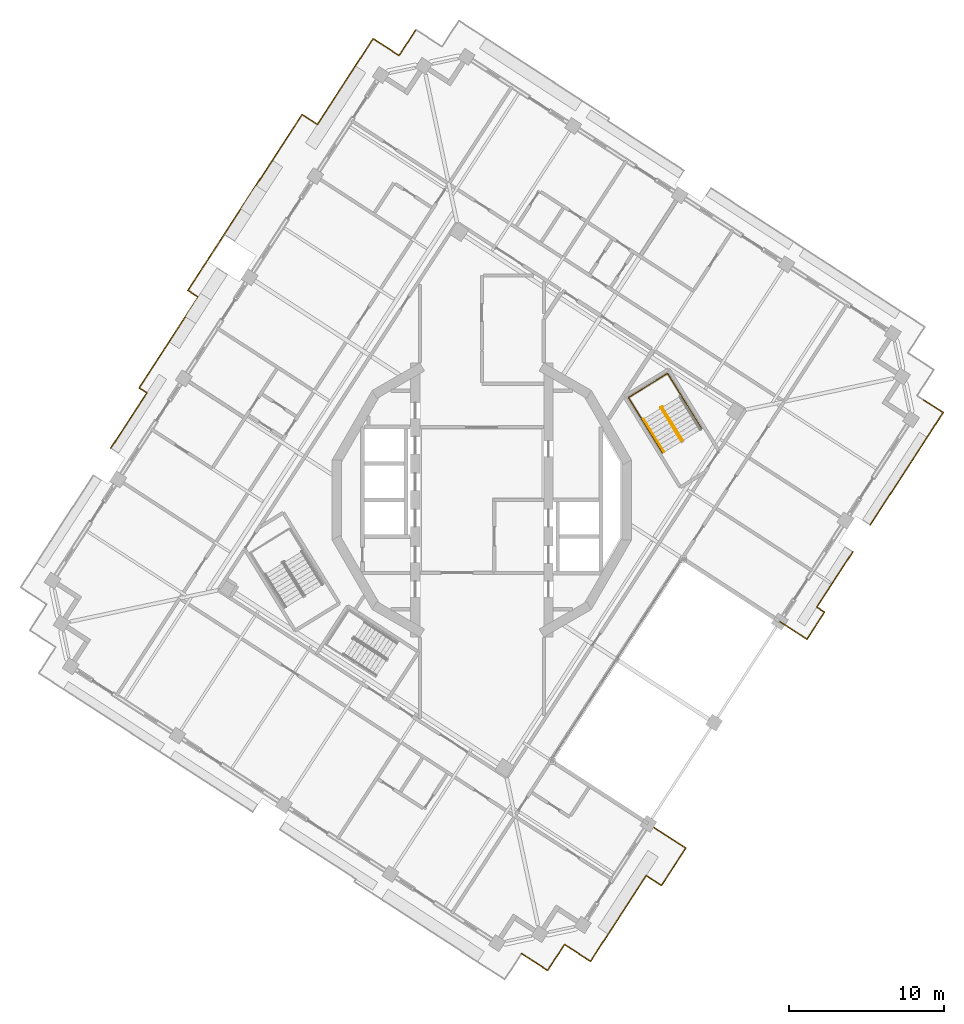
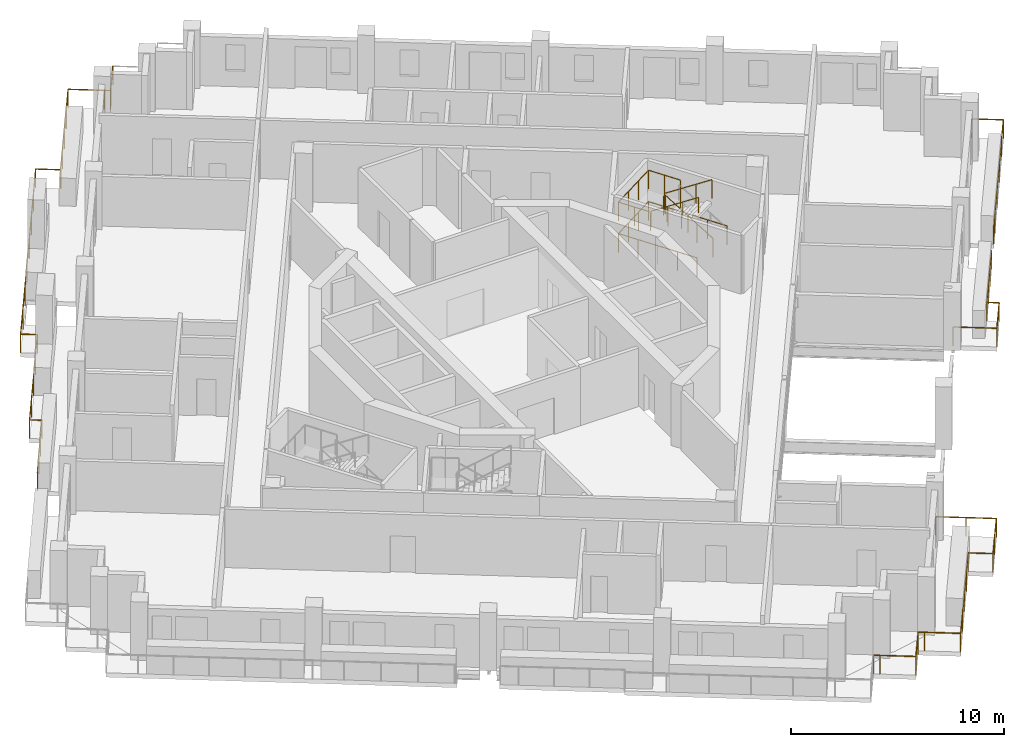
# One storey, part 14 of 17: 10 railings.
"""IFC4 building model written with IfcOpenShell, lengths in metres."""

from ifc_helpers import new_model, si_unit, direction, frame, origin, origin_2d, place, context, subcontext, project, spatial, circle, extrude, material, type_object, element, save


model = new_model("IFC4")

# Units and contexts
model_context = context("Model", 3, precision=1e-05, world=origin(), true_north=direction((0.0, 1.0)))
body_context = subcontext(model_context, "Body", "Model", "MODEL_VIEW")
ifc_project = project(units=[si_unit("LENGTHUNIT", "METRE"), si_unit("AREAUNIT", "SQUARE_METRE"), si_unit("VOLUMEUNIT", "CUBIC_METRE"), si_unit("PLANEANGLEUNIT", "RADIAN"), si_unit("MASSUNIT", "GRAM", prefix="KILO")], contexts=[model_context])

# Site, building, storey
site_placement = place(None, origin())
site = spatial("IfcSite", under=ifc_project, at=site_placement, CompositionType="ELEMENT")
building_placement = place(site_placement, origin())
building = spatial("IfcBuilding", under=site, at=building_placement, Name="Cantera Rosa Tower", CompositionType="ELEMENT")
storey_placement = place(building_placement, frame((0.0, 0.0, 254.10009765625)))
storey = spatial("IfcBuildingStorey", under=building, at=storey_placement, Name="L56", CompositionType="ELEMENT", Elevation=254.10009765625)

# Railings
ifc_material_1 = material(Name="Stainless steel and laminated glass", Category="steel")
railing_type_1 = type_object("IfcRailingType", Name="GUARD 1100", PredefinedType="BALUSTRADE", material=ifc_material_1)
railing_1_placement = place(storey_placement, frame((10.769775390625, -20.908935546875, 0.0)))
element("IfcRailing", 1, at=railing_1_placement, inside=storey, type_object=railing_type_1, Name="GUARD L56-2", PredefinedType="BALUSTRADE", context=body_context, shape_type="SweptSolid", body=[
    extrude(circle(Radius=0.030029296875, at=origin_2d()), frame((0.0, 0.0, 1.070068359375), z_axis=(0.838652354322, -0.544667080509, 0.0), x_axis=(0.544667080509, 0.838652354322, 0.0)), (0.0, 0.0, 1.0), 2.8583984375),
    extrude(circle(Radius=0.030029296875, at=origin_2d()), frame((2.397216796875, -1.556884765625, 1.070068359375), z_axis=(-0.544618614837, -0.838683828611, 0.0), x_axis=(0.838683828611, -0.544618614837, 0.0)), (0.0, 0.0, 1.0), 2.87841796875),
    extrude(circle(Radius=0.030029296875, at=origin_2d()), frame((0.82958984375, -3.970947265625, 1.070068359375), z_axis=(-0.838713269942, 0.544573274062, 0.0), x_axis=(-0.544573274062, -0.838713269942, 0.0)), (0.0, 0.0, 1.0), 1.1787109375),
    extrude(circle(Radius=0.030029296875, at=origin_2d()), frame((-0.158935546875, -3.3291015625, 1.070068359375), z_axis=(-0.544636384681, -0.838672289087, 0.0), x_axis=(0.838672289087, -0.544636384681, 0.0)), (0.0, 0.0, 1.0), 4.9013671875),
    extrude(circle(Radius=0.030029296875, at=origin_2d()), frame((-2.828369140625, -7.439697265625, 1.070068359375), z_axis=(-0.544584451758, -0.838706012202, 0.0), x_axis=(0.838706012202, -0.544584451758, 0.0)), (0.0, 0.0, 1.0), 1.699951171875),
    extrude(circle(Radius=0.030029296875, at=origin_2d()), frame((-3.754150390625, -8.865478515625, 1.070068359375), z_axis=(-0.838706012202, 0.544584451758, 0.0), x_axis=(-0.544584451758, -0.838706012202, 0.0)), (0.0, 0.0, 1.0), 1.699951171875),
    extrude(circle(Radius=0.030029296875, at=origin_2d()), frame((-5.179931640625, -7.939697265625, 1.070068359375), z_axis=(-0.838499355694, 0.544902588084, 0.0), x_axis=(-0.544902588084, -0.838499355694, 0.0)), (0.0, 0.0, 1.0), 0.30029296875),
    extrude(circle(Radius=0.030029296875, at=origin_2d()), frame((-5.431640625, -7.776123046875, 1.070068359375), z_axis=(-0.5443304008, -0.838870916629, 0.0), x_axis=(0.838870916629, -0.5443304008, 0.0)), (0.0, 0.0, 1.0), 0.300048828125),
    extrude(circle(Radius=0.030029296875, at=origin_2d()), frame((-5.594970703125, -8.02783203125, 1.070068359375), z_axis=(-0.544685462014, -0.838640416073, 0.0), x_axis=(0.838640416073, -0.544685462014, 0.0)), (0.0, 0.0, 1.0), 1.7001953125),
    extrude(circle(Radius=0.030029296875, at=origin_2d()), frame((-6.52099609375, -9.45361328125, 1.070068359375), z_axis=(-0.83859780397, 0.544751065329, 0.0), x_axis=(-0.544751065329, -0.83859780397, 0.0)), (0.0, 0.0, 1.0), 1.699951171875),
    extrude(circle(Radius=0.030029296875, at=origin_2d()), frame((-7.946533203125, -8.527587890625, 1.070068359375), z_axis=(-0.838870916629, 0.5443304008, 0.0), x_axis=(-0.5443304008, -0.838870916629, 0.0)), (0.0, 0.0, 1.0), 0.300048828125),
    extrude(circle(Radius=0.02490234375, at=origin_2d()), origin(), (0.0, 0.0, 1.0), 1.0400390625),
    extrude(circle(Radius=0.02490234375, at=origin_2d()), frame((1.19873046875, -0.7783203125, 0.0)), (0.0, 0.0, 1.0), 1.0400390625),
    extrude(circle(Radius=0.02490234375, at=origin_2d()), frame((2.397216796875, -1.556884765625, 0.0)), (0.0, 0.0, 1.0), 1.0400390625),
    extrude(circle(Radius=0.02490234375, at=origin_2d()), frame((1.61328125, -2.763916015625, 0.0)), (0.0, 0.0, 1.0), 1.0400390625),
    extrude(circle(Radius=0.02490234375, at=origin_2d()), frame((0.82958984375, -3.970947265625, 0.0)), (0.0, 0.0, 1.0), 1.0400390625),
    extrude(circle(Radius=0.02490234375, at=origin_2d()), frame((-0.158935546875, -3.3291015625, 0.0)), (0.0, 0.0, 1.0), 1.0400390625),
    extrude(circle(Radius=0.02490234375, at=origin_2d()), frame((-1.048828125, -4.69921875, 0.0)), (0.0, 0.0, 1.0), 1.0400390625),
    extrude(circle(Radius=0.02490234375, at=origin_2d()), frame((-1.9384765625, -6.069580078125, 0.0)), (0.0, 0.0, 1.0), 1.0400390625),
    extrude(circle(Radius=0.02490234375, at=origin_2d()), frame((-2.828369140625, -7.439697265625, 0.0)), (0.0, 0.0, 1.0), 1.0400390625),
    extrude(circle(Radius=0.02490234375, at=origin_2d()), frame((-3.754150390625, -8.865478515625, 0.0)), (0.0, 0.0, 1.0), 1.0400390625),
    extrude(circle(Radius=0.02490234375, at=origin_2d()), frame((-5.179931640625, -7.939697265625, 0.0)), (0.0, 0.0, 1.0), 1.0400390625),
    extrude(circle(Radius=0.02490234375, at=origin_2d()), frame((-5.431640625, -7.776123046875, 0.0)), (0.0, 0.0, 1.0), 1.0400390625),
    extrude(circle(Radius=0.02490234375, at=origin_2d()), frame((-5.594970703125, -8.02783203125, 0.0)), (0.0, 0.0, 1.0), 1.0400390625),
    extrude(circle(Radius=0.02490234375, at=origin_2d()), frame((-6.52099609375, -9.45361328125, 0.0)), (0.0, 0.0, 1.0), 1.0400390625),
    extrude(circle(Radius=0.02490234375, at=origin_2d()), frame((-7.946533203125, -8.527587890625, 0.0)), (0.0, 0.0, 1.0), 1.0400390625),
    extrude(circle(Radius=0.02490234375, at=origin_2d()), frame((-8.1982421875, -8.3642578125, 0.0)), (0.0, 0.0, 1.0), 1.0400390625),
])
railing_2_placement = place(storey_placement, frame((-23.945556640625, 3.340576171875, 0.0)))
element("IfcRailing", 2, at=railing_2_placement, inside=storey, type_object=railing_type_1, Name="GUARD L56-6", PredefinedType="BALUSTRADE", context=body_context, shape_type="SweptSolid", body=[
    extrude(circle(Radius=0.030029296875, at=origin_2d()), frame((0.0, 0.0, 1.070068359375), z_axis=(0.544623762795, 0.838680485643, 0.0), x_axis=(-0.838680485643, 0.544623762795, 0.0)), (0.0, 0.0, 1.0), 4.2607421875),
    extrude(circle(Radius=0.030029296875, at=origin_2d()), frame((2.320556640625, 3.573486328125, 1.070068359375), z_axis=(-0.838643050361, 0.544681406035, 0.0), x_axis=(-0.544681406035, -0.838643050361, 0.0)), (0.0, 0.0, 1.0), 0.587158203125),
    extrude(circle(Radius=0.030029296875, at=origin_2d()), frame((1.828125, 3.893310546875, 1.070068359375), z_axis=(0.544642131543, 0.838668557029, 0.0), x_axis=(-0.838668557029, 0.544642131543, 0.0)), (0.0, 0.0, 1.0), 6.990478515625),
    extrude(circle(Radius=0.030029296875, at=origin_2d()), frame((5.635498046875, 9.756103515625, 1.070068359375), z_axis=(-0.838697885351, 0.54459696759, 0.0), x_axis=(-0.54459696759, -0.838697885351, 0.0)), (0.0, 0.0, 1.0), 0.78955078125),
    extrude(circle(Radius=0.030029296875, at=origin_2d()), frame((4.973388671875, 10.18603515625, 1.070068359375), z_axis=(0.54463394438, 0.83867387382, 0.0), x_axis=(-0.83867387382, 0.54463394438, 0.0)), (0.0, 0.0, 1.0), 13.537109375),
    extrude(circle(Radius=0.030029296875, at=origin_2d()), frame((12.34619140625, 21.539306640625, 1.070068359375), z_axis=(0.838713269942, -0.544573274062, 0.0), x_axis=(0.544573274062, 0.838713269942, 0.0)), (0.0, 0.0, 1.0), 1.1787109375),
    extrude(circle(Radius=0.030029296875, at=origin_2d()), frame((13.334716796875, 20.8974609375, 1.070068359375), z_axis=(0.544636384681, 0.838672289087, 0.0), x_axis=(-0.838672289087, 0.544636384681, 0.0)), (0.0, 0.0, 1.0), 4.9013671875),
    extrude(circle(Radius=0.030029296875, at=origin_2d()), frame((16.004150390625, 25.008056640625, 1.070068359375), z_axis=(0.544584451758, 0.838706012202, 0.0), x_axis=(-0.838706012202, 0.544584451758, 0.0)), (0.0, 0.0, 1.0), 1.699951171875),
    extrude(circle(Radius=0.030029296875, at=origin_2d()), frame((16.929931640625, 26.433837890625, 1.070068359375), z_axis=(0.838706012202, -0.544584451758, 0.0), x_axis=(0.544584451758, 0.838706012202, 0.0)), (0.0, 0.0, 1.0), 1.699951171875),
    extrude(circle(Radius=0.030029296875, at=origin_2d()), frame((18.355712890625, 25.508056640625, 1.070068359375), z_axis=(0.838499355694, -0.544902588084, 0.0), x_axis=(0.544902588084, 0.838499355694, 0.0)), (0.0, 0.0, 1.0), 0.30029296875),
    extrude(circle(Radius=0.030029296875, at=origin_2d()), frame((18.607421875, 25.344482421875, 1.070068359375), z_axis=(0.5443304008, 0.838870916629, 0.0), x_axis=(-0.838870916629, 0.5443304008, 0.0)), (0.0, 0.0, 1.0), 0.300048828125),
    extrude(circle(Radius=0.030029296875, at=origin_2d()), frame((18.770751953125, 25.59619140625, 1.070068359375), z_axis=(0.544685462014, 0.838640416073, 0.0), x_axis=(-0.838640416073, 0.544685462014, 0.0)), (0.0, 0.0, 1.0), 1.7001953125),
    extrude(circle(Radius=0.02490234375, at=origin_2d()), origin(), (0.0, 0.0, 1.0), 1.0400390625),
    extrude(circle(Radius=0.02490234375, at=origin_2d()), frame((0.7734375, 1.191162109375, 0.0)), (0.0, 0.0, 1.0), 1.0400390625),
    extrude(circle(Radius=0.02490234375, at=origin_2d()), frame((1.547119140625, 2.38232421875, 0.0)), (0.0, 0.0, 1.0), 1.0400390625),
    extrude(circle(Radius=0.02490234375, at=origin_2d()), frame((2.320556640625, 3.573486328125, 0.0)), (0.0, 0.0, 1.0), 1.0400390625),
    extrude(circle(Radius=0.02490234375, at=origin_2d()), frame((1.828125, 3.893310546875, 0.0)), (0.0, 0.0, 1.0), 1.0400390625),
    extrude(circle(Radius=0.02490234375, at=origin_2d()), frame((2.780029296875, 5.35888671875, 0.0)), (0.0, 0.0, 1.0), 1.0400390625),
    extrude(circle(Radius=0.02490234375, at=origin_2d()), frame((3.73193359375, 6.82470703125, 0.0)), (0.0, 0.0, 1.0), 1.0400390625),
    extrude(circle(Radius=0.02490234375, at=origin_2d()), frame((4.68359375, 8.29052734375, 0.0)), (0.0, 0.0, 1.0), 1.0400390625),
    extrude(circle(Radius=0.02490234375, at=origin_2d()), frame((5.635498046875, 9.756103515625, 0.0)), (0.0, 0.0, 1.0), 1.0400390625),
    extrude(circle(Radius=0.02490234375, at=origin_2d()), frame((4.973388671875, 10.18603515625, 0.0)), (0.0, 0.0, 1.0), 1.0400390625),
    extrude(circle(Radius=0.02490234375, at=origin_2d()), frame((6.026611328125, 11.807861328125, 0.0)), (0.0, 0.0, 1.0), 1.0400390625),
    extrude(circle(Radius=0.02490234375, at=origin_2d()), frame((7.079833984375, 13.429931640625, 0.0)), (0.0, 0.0, 1.0), 1.0400390625),
    extrude(circle(Radius=0.02490234375, at=origin_2d()), frame((8.133056640625, 15.0517578125, 0.0)), (0.0, 0.0, 1.0), 1.0400390625),
    extrude(circle(Radius=0.02490234375, at=origin_2d()), frame((9.1865234375, 16.673583984375, 0.0)), (0.0, 0.0, 1.0), 1.0400390625),
    extrude(circle(Radius=0.02490234375, at=origin_2d()), frame((10.23974609375, 18.29541015625, 0.0)), (0.0, 0.0, 1.0), 1.0400390625),
    extrude(circle(Radius=0.02490234375, at=origin_2d()), frame((11.29296875, 19.91748046875, 0.0)), (0.0, 0.0, 1.0), 1.0400390625),
    extrude(circle(Radius=0.02490234375, at=origin_2d()), frame((12.34619140625, 21.539306640625, 0.0)), (0.0, 0.0, 1.0), 1.0400390625),
    extrude(circle(Radius=0.02490234375, at=origin_2d()), frame((13.334716796875, 20.8974609375, 0.0)), (0.0, 0.0, 1.0), 1.0400390625),
    extrude(circle(Radius=0.02490234375, at=origin_2d()), frame((14.224609375, 22.267578125, 0.0)), (0.0, 0.0, 1.0), 1.0400390625),
    extrude(circle(Radius=0.02490234375, at=origin_2d()), frame((15.1142578125, 23.637939453125, 0.0)), (0.0, 0.0, 1.0), 1.0400390625),
    extrude(circle(Radius=0.02490234375, at=origin_2d()), frame((16.004150390625, 25.008056640625, 0.0)), (0.0, 0.0, 1.0), 1.0400390625),
    extrude(circle(Radius=0.02490234375, at=origin_2d()), frame((16.929931640625, 26.433837890625, 0.0)), (0.0, 0.0, 1.0), 1.0400390625),
    extrude(circle(Radius=0.02490234375, at=origin_2d()), frame((18.355712890625, 25.508056640625, 0.0)), (0.0, 0.0, 1.0), 1.0400390625),
    extrude(circle(Radius=0.02490234375, at=origin_2d()), frame((18.607421875, 25.344482421875, 0.0)), (0.0, 0.0, 1.0), 1.0400390625),
    extrude(circle(Radius=0.02490234375, at=origin_2d()), frame((18.770751953125, 25.59619140625, 0.0)), (0.0, 0.0, 1.0), 1.0400390625),
    extrude(circle(Radius=0.02490234375, at=origin_2d()), frame((19.69677734375, 27.02197265625, 0.0)), (0.0, 0.0, 1.0), 1.0400390625),
])
railing_3_placement = place(storey_placement, frame((22.117431640625, -7.23388671875, 0.0)))
element("IfcRailing", 3, at=railing_3_placement, inside=storey, type_object=railing_type_1, Name="GUARD L56-7", PredefinedType="BALUSTRADE", context=body_context, shape_type="SweptSolid", body=[
    extrude(circle(Radius=0.030029296875, at=origin_2d()), frame((0.0, 0.0, 1.070068359375), z_axis=(-0.54457341618, -0.838713177666, 0.0), x_axis=(0.838713177666, -0.54457341618, 0.0)), (0.0, 0.0, 1.0), 2.089111328125),
    extrude(circle(Radius=0.030029296875, at=origin_2d()), frame((-1.1376953125, -1.752197265625, 1.070068359375), z_axis=(-0.8386699844, 0.544639933595, 0.0), x_axis=(-0.544639933595, -0.8386699844, 0.0)), (0.0, 0.0, 1.0), 2.069091796875),
    extrude(circle(Radius=0.02490234375, at=origin_2d()), origin(), (0.0, 0.0, 1.0), 1.0400390625),
    extrude(circle(Radius=0.02490234375, at=origin_2d()), frame((-1.1376953125, -1.752197265625, 0.0)), (0.0, 0.0, 1.0), 1.0400390625),
    extrude(circle(Radius=0.02490234375, at=origin_2d()), frame((-2.873046875, -0.625244140625, 0.0)), (0.0, 0.0, 1.0), 1.0400390625),
])
railing_4_placement = place(storey_placement, frame((23.945556640625, -3.340576171875, 0.0)))
element("IfcRailing", 4, at=railing_4_placement, inside=storey, type_object=railing_type_1, Name="GUARD L56-8", PredefinedType="BALUSTRADE", context=body_context, shape_type="SweptSolid", body=[
    extrude(circle(Radius=0.030029296875, at=origin_2d()), frame((0.0, 0.0, 1.070068359375), z_axis=(-0.544623762795, -0.838680485643, 0.0), x_axis=(0.838680485643, -0.544623762795, 0.0)), (0.0, 0.0, 1.0), 4.2607421875),
    extrude(circle(Radius=0.030029296875, at=origin_2d()), frame((-2.320556640625, -3.573486328125, 1.070068359375), z_axis=(0.838643050361, -0.544681406035, 0.0), x_axis=(0.544681406035, 0.838643050361, 0.0)), (0.0, 0.0, 1.0), 0.587158203125),
    extrude(circle(Radius=0.02490234375, at=origin_2d()), origin(), (0.0, 0.0, 1.0), 1.0400390625),
    extrude(circle(Radius=0.02490234375, at=origin_2d()), frame((-0.7734375, -1.191162109375, 0.0)), (0.0, 0.0, 1.0), 1.0400390625),
    extrude(circle(Radius=0.02490234375, at=origin_2d()), frame((-1.547119140625, -2.38232421875, 0.0)), (0.0, 0.0, 1.0), 1.0400390625),
    extrude(circle(Radius=0.02490234375, at=origin_2d()), frame((-2.320556640625, -3.573486328125, 0.0)), (0.0, 0.0, 1.0), 1.0400390625),
    extrude(circle(Radius=0.02490234375, at=origin_2d()), frame((-1.828125, -3.893310546875, 0.0)), (0.0, 0.0, 1.0), 1.0400390625),
])
railing_5_placement = place(storey_placement, frame((28.51904296875, 6.45947265625, 0.0)))
element("IfcRailing", 5, at=railing_5_placement, inside=storey, type_object=railing_type_1, Name="GUARD L56-9", PredefinedType="BALUSTRADE", context=body_context, shape_type="SweptSolid", body=[
    extrude(circle(Radius=0.030029296875, at=origin_2d()), frame((0.0, 0.0, 1.070068359375), z_axis=(0.8387001057, -0.544593548161, 0.0), x_axis=(0.544593548161, 0.8387001057, 0.0)), (0.0, 0.0, 1.0), 1.5),
    extrude(circle(Radius=0.030029296875, at=origin_2d()), frame((1.258056640625, -0.81689453125, 1.070068359375), z_axis=(-0.544593548161, -0.8387001057, 0.0), x_axis=(0.8387001057, -0.544593548161, 0.0)), (0.0, 0.0, 1.0), 1.5),
    extrude(circle(Radius=0.030029296875, at=origin_2d()), frame((0.441162109375, -2.074951171875, 1.070068359375), z_axis=(-0.544645228423, -0.838666545867, 0.0), x_axis=(0.838666545867, -0.544645228423, 0.0)), (0.0, 0.0, 1.0), 6.2783203125),
    extrude(circle(Radius=0.030029296875, at=origin_2d()), frame((-2.978271484375, -7.34033203125, 1.070068359375), z_axis=(0.832050294338, -0.554700196225, 0.0), x_axis=(0.554700196225, 0.832050294338, 0.0)), (0.0, 0.0, 1.0), 0.001708984375),
    extrude(circle(Radius=0.030029296875, at=origin_2d()), frame((-2.976806640625, -7.34130859375, 1.070068359375), z_axis=(-0.544643812911, -0.838667465124, 0.0), x_axis=(0.838667465124, -0.544643812911, 0.0)), (0.0, 0.0, 1.0), 0.871826171875),
    extrude(circle(Radius=0.02490234375, at=origin_2d()), origin(), (0.0, 0.0, 1.0), 1.0400390625),
    extrude(circle(Radius=0.02490234375, at=origin_2d()), frame((1.258056640625, -0.81689453125, 0.0)), (0.0, 0.0, 1.0), 1.0400390625),
    extrude(circle(Radius=0.02490234375, at=origin_2d()), frame((0.441162109375, -2.074951171875, 0.0)), (0.0, 0.0, 1.0), 1.0400390625),
    extrude(circle(Radius=0.02490234375, at=origin_2d()), frame((-0.69873046875, -3.830078125, 0.0)), (0.0, 0.0, 1.0), 1.0400390625),
    extrude(circle(Radius=0.02490234375, at=origin_2d()), frame((-1.83837890625, -5.585205078125, 0.0)), (0.0, 0.0, 1.0), 1.0400390625),
    extrude(circle(Radius=0.02490234375, at=origin_2d()), frame((-2.978271484375, -7.34033203125, 0.0)), (0.0, 0.0, 1.0), 1.0400390625),
    extrude(circle(Radius=0.02490234375, at=origin_2d()), frame((-2.976806640625, -7.34130859375, 0.0)), (0.0, 0.0, 1.0), 1.0400390625),
    extrude(circle(Radius=0.02490234375, at=origin_2d()), frame((-3.45166015625, -8.072509765625, 0.0)), (0.0, 0.0, 1.0), 1.0400390625),
])
ifc_material_2 = material(Name="Steel S355J2 (EN 10025-2)", Category="steel")
railing_type_2 = type_object("IfcRailingType", Name="STAIR GUARD 1100", PredefinedType="GUARDRAIL", material=ifc_material_2)
railing_6_placement = place(storey_placement, frame((12.9765625, 3.834228515625, 0.179931640625)))
element("IfcRailing", 6, at=railing_6_placement, inside=storey, type_object=railing_type_2, Name="L56 ST-51 stair guard 1", PredefinedType="GUARDRAIL", context=body_context, shape_type="SweptSolid", body=[
    extrude(circle(Radius=0.02392578125, at=origin_2d()), frame((0.0, 0.0, 1.076171875), z_axis=(-0.441562923896, 0.715970890813, 0.540747508315), x_axis=(-0.851145618652, -0.524929648476, 0.0)), (0.0, 0.0, 1.0), 2.99560546875),
    extrude(circle(Radius=0.02392578125, at=origin_2d()), frame((-1.32275390625, 2.144775390625, 2.69580078125), z_axis=(-0.073711968402, 0.997279572494, 0.0), x_axis=(-0.997279572494, -0.073711968402, 0.0)), (0.0, 0.0, 1.0), 0.056396484375),
    extrude(circle(Radius=0.02392578125, at=origin_2d()), frame((-1.326904296875, 2.200927734375, 2.69580078125), z_axis=(-0.851546489876, -0.524279100842, 0.0), x_axis=(0.524279100842, -0.851546489876, 0.0)), (0.0, 0.0, 1.0), 0.14990234375),
    extrude(circle(Radius=0.02099609375, at=origin_2d()), origin(), (0.0, 0.0, 1.0), 1.052001953125),
    extrude(circle(Radius=0.02099609375, at=origin_2d()), frame((-0.44091796875, 0.71484375, 0.5400390625)), (0.0, 0.0, 1.0), 1.052001953125),
    extrude(circle(Radius=0.02099609375, at=origin_2d()), frame((-0.8818359375, 1.429931640625, 1.079833984375)), (0.0, 0.0, 1.0), 1.052001953125),
    extrude(circle(Radius=0.02099609375, at=origin_2d()), frame((-1.32275390625, 2.144775390625, 1.619873046875)), (0.0, 0.0, 1.0), 1.052001953125),
    extrude(circle(Radius=0.02099609375, at=origin_2d()), frame((-1.326904296875, 2.200927734375, 1.619873046875)), (0.0, 0.0, 1.0), 1.052001953125),
    extrude(circle(Radius=0.02099609375, at=origin_2d()), frame((-1.45458984375, 2.122314453125, 1.619873046875)), (0.0, 0.0, 1.0), 1.052001953125),
])
railing_7_placement = place(storey_placement, frame((11.5703125, 5.927490234375, 1.97998046875)))
element("IfcRailing", 7, at=railing_7_placement, inside=storey, type_object=railing_type_2, Name="L56 ST-51 stair guard 2", PredefinedType="GUARDRAIL", context=body_context, shape_type="SweptSolid", body=[
    extrude(circle(Radius=0.02392578125, at=origin_2d()), frame((0.0, 0.0, 1.076171875), z_axis=(0.441628529057, -0.715945124149, 0.540728047664), x_axis=(0.851102330005, 0.524999832248, 0.0)), (0.0, 0.0, 1.0), 2.99560546875),
    extrude(circle(Radius=0.02099609375, at=origin_2d()), origin(), (0.0, 0.0, 1.0), 1.052001953125),
    extrude(circle(Radius=0.02099609375, at=origin_2d()), frame((0.44091796875, -0.71484375, 0.5400390625)), (0.0, 0.0, 1.0), 1.052001953125),
    extrude(circle(Radius=0.02099609375, at=origin_2d()), frame((0.882080078125, -1.429931640625, 1.079833984375)), (0.0, 0.0, 1.0), 1.052001953125),
    extrude(circle(Radius=0.02099609375, at=origin_2d()), frame((1.322998046875, -2.144775390625, 1.619873046875)), (0.0, 0.0, 1.0), 1.052001953125),
])
railing_8_placement = place(storey_placement, frame((14.192626953125, 4.59814453125, 0.0)))
element("IfcRailing", 8, at=railing_8_placement, inside=storey, type_object=railing_type_2, Name="L56 ST-51 stair guard 4", PredefinedType="GUARDRAIL", context=body_context, shape_type="SweptSolid", body=[
    extrude(circle(Radius=0.02392578125, at=origin_2d()), frame((0.0, 0.0, 1.076171875), z_axis=(-0.524976478809, 0.851116735059, 0.0), x_axis=(-0.851116735059, -0.524976478809, 0.0)), (0.0, 0.0, 1.0), 4.197998046875),
    extrude(circle(Radius=0.02392578125, at=origin_2d()), frame((-2.203857421875, 3.572998046875, 1.076171875), z_axis=(-0.851132917336, -0.524950242429, 0.0), x_axis=(0.524950242429, -0.851132917336, 0.0)), (0.0, 0.0, 1.0), 2.969970703125),
    extrude(circle(Radius=0.02392578125, at=origin_2d()), frame((-4.731689453125, 2.013916015625, 1.076171875), z_axis=(0.524976478809, -0.851116735059, 0.0), x_axis=(0.851116735059, 0.524976478809, 0.0)), (0.0, 0.0, 1.0), 4.197998046875),
    extrude(circle(Radius=0.02099609375, at=origin_2d()), origin(), (0.0, 0.0, 1.0), 1.052001953125),
    extrude(circle(Radius=0.02099609375, at=origin_2d()), frame((-0.551025390625, 0.893310546875, 0.0)), (0.0, 0.0, 1.0), 1.052001953125),
    extrude(circle(Radius=0.02099609375, at=origin_2d()), frame((-1.10205078125, 1.78662109375, 0.0)), (0.0, 0.0, 1.0), 1.052001953125),
    extrude(circle(Radius=0.02099609375, at=origin_2d()), frame((-1.65283203125, 2.6796875, 0.0)), (0.0, 0.0, 1.0), 1.052001953125),
    extrude(circle(Radius=0.02099609375, at=origin_2d()), frame((-2.203857421875, 3.572998046875, 0.0)), (0.0, 0.0, 1.0), 1.052001953125),
    extrude(circle(Radius=0.02099609375, at=origin_2d()), frame((-3.04638671875, 3.05322265625, 0.0)), (0.0, 0.0, 1.0), 1.052001953125),
    extrude(circle(Radius=0.02099609375, at=origin_2d()), frame((-3.88916015625, 2.53369140625, 0.0)), (0.0, 0.0, 1.0), 1.052001953125),
    extrude(circle(Radius=0.02099609375, at=origin_2d()), frame((-4.731689453125, 2.013916015625, 0.0)), (0.0, 0.0, 1.0), 1.052001953125),
    extrude(circle(Radius=0.02099609375, at=origin_2d()), frame((-4.1806640625, 1.12060546875, 0.0)), (0.0, 0.0, 1.0), 1.052001953125),
    extrude(circle(Radius=0.02099609375, at=origin_2d()), frame((-3.6298828125, 0.2275390625, 0.0)), (0.0, 0.0, 1.0), 1.052001953125),
    extrude(circle(Radius=0.02099609375, at=origin_2d()), frame((-3.078857421875, -0.665771484375, 0.0)), (0.0, 0.0, 1.0), 1.052001953125),
    extrude(circle(Radius=0.02099609375, at=origin_2d()), frame((-2.52783203125, -1.55908203125, 0.0)), (0.0, 0.0, 1.0), 1.052001953125),
])
railing_9_placement = place(storey_placement, frame((12.88232421875, 6.72265625, 1.7998046875)))
element("IfcRailing", 9, at=railing_9_placement, inside=storey, type_object=railing_type_2, Name="L56 ST-51 stair guard 5", PredefinedType="GUARDRAIL", context=body_context, shape_type="SweptSolid", body=[
    extrude(circle(Radius=0.02392578125, at=origin_2d()), frame((0.0, 0.0, 1.076171875), z_axis=(-0.525025534833, 0.851086474909, 0.0), x_axis=(-0.851086474909, -0.525025534833, 0.0)), (0.0, 0.0, 1.0), 1.701904296875),
    extrude(circle(Radius=0.02392578125, at=origin_2d()), frame((-0.8935546875, 1.448486328125, 1.076171875), z_axis=(-0.851132917336, -0.524950242429, 0.0), x_axis=(0.524950242429, -0.851132917336, 0.0)), (0.0, 0.0, 1.0), 2.969970703125),
    extrude(circle(Radius=0.02392578125, at=origin_2d()), frame((-3.42138671875, -0.110595703125, 1.076171875), z_axis=(0.524961441845, -0.851126009811, 0.0), x_axis=(0.851126009811, 0.524961441845, 0.0)), (0.0, 0.0, 1.0), 1.7021484375),
    extrude(circle(Radius=0.02099609375, at=origin_2d()), origin(), (0.0, 0.0, 1.0), 1.052001953125),
    extrude(circle(Radius=0.02099609375, at=origin_2d()), frame((-0.44677734375, 0.72412109375, 0.0)), (0.0, 0.0, 1.0), 1.052001953125),
    extrude(circle(Radius=0.02099609375, at=origin_2d()), frame((-0.8935546875, 1.448486328125, 0.0)), (0.0, 0.0, 1.0), 1.052001953125),
    extrude(circle(Radius=0.02099609375, at=origin_2d()), frame((-1.736083984375, 0.9287109375, 0.0)), (0.0, 0.0, 1.0), 1.052001953125),
    extrude(circle(Radius=0.02099609375, at=origin_2d()), frame((-2.578857421875, 0.4091796875, 0.0)), (0.0, 0.0, 1.0), 1.052001953125),
    extrude(circle(Radius=0.02099609375, at=origin_2d()), frame((-3.42138671875, -0.110595703125, 0.0)), (0.0, 0.0, 1.0), 1.052001953125),
    extrude(circle(Radius=0.02099609375, at=origin_2d()), frame((-2.974609375, -0.8349609375, 0.0)), (0.0, 0.0, 1.0), 1.052001953125),
    extrude(circle(Radius=0.02099609375, at=origin_2d()), frame((-2.52783203125, -1.559326171875, 0.0)), (0.0, 0.0, 1.0), 1.052001953125),
])
ifc_material_3 = material(Name="Steel S355J2 (EN 10025-2)", Category="steel")
railing_type_3 = type_object("IfcRailingType", Name="STAIR HANDRAIL 900", PredefinedType="HANDRAIL", material=ifc_material_3)
railing_10_placement = place(storey_placement, frame((10.441650390625, 5.2314453125, 1.97998046875)))
element("IfcRailing", 10, at=railing_10_placement, inside=storey, type_object=railing_type_3, Name="L56 ST-51 stair handrail 2", PredefinedType="HANDRAIL", context=body_context, shape_type="SweptSolid", body=[
    extrude(circle(Radius=0.02392578125, at=origin_2d()), frame((0.0, 0.0, 0.8759765625), z_axis=(0.441628529057, -0.715945124149, 0.540728047664), x_axis=(0.851102330005, 0.524999832248, 0.0)), (0.0, 0.0, 1.0), 2.99560546875),
    extrude(circle(Radius=0.02099609375, at=origin_2d()), origin(), (0.0, 0.0, 1.0), 0.851806640625),
    extrude(circle(Radius=0.02099609375, at=origin_2d()), frame((0.44091796875, -0.71484375, 0.5400390625)), (0.0, 0.0, 1.0), 0.851806640625),
    extrude(circle(Radius=0.02099609375, at=origin_2d()), frame((0.882080078125, -1.429931640625, 1.079833984375)), (0.0, 0.0, 1.0), 0.851806640625),
    extrude(circle(Radius=0.02099609375, at=origin_2d()), frame((1.322998046875, -2.144775390625, 1.619873046875)), (0.0, 0.0, 1.0), 0.851806640625),
])

save(model, "model.ifc")
